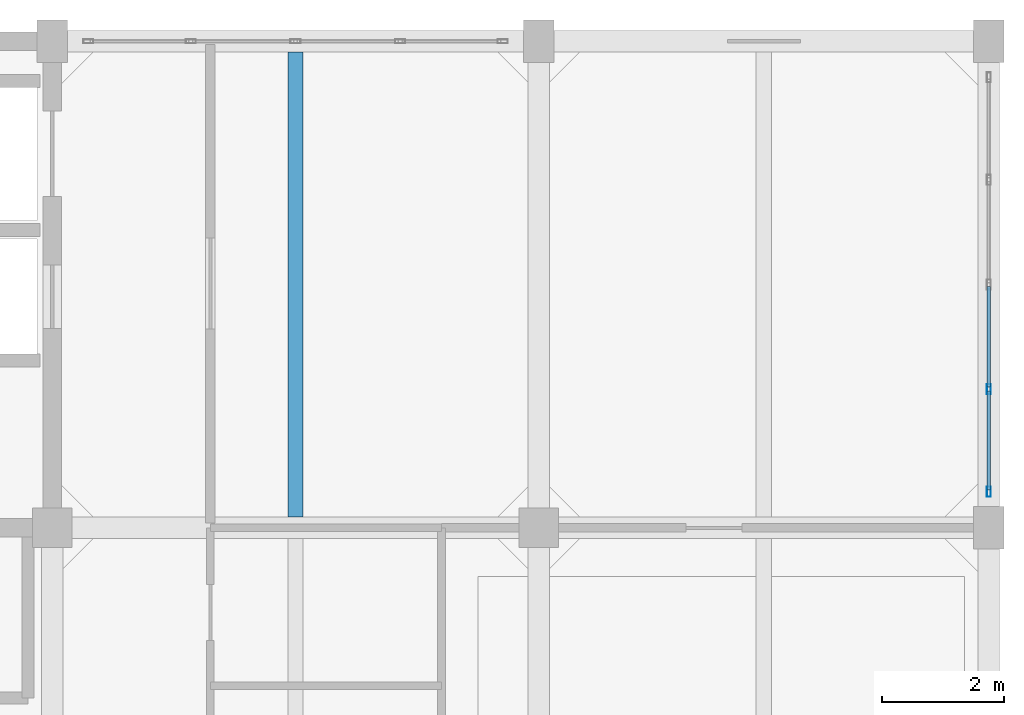
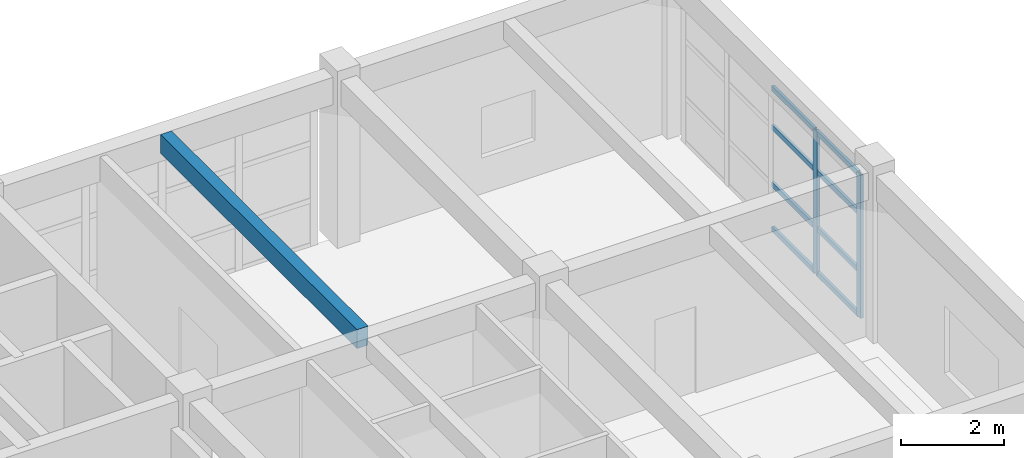
# One storey, part 12 of 20: 10 members, 1 beam, 1 element without a shape of its own.
"""IFC4 building model written with IfcOpenShell, lengths in metres."""

from ifc_helpers import new_model, si_unit, direction, frame, origin, origin_2d, place, context, subcontext, project, spatial, rectangle, hollow_rectangle, extrude, material, layer, layer_set, material_profile, profile_set, type_object, element, aggregate, save


model = new_model("IFC4")

# Units and contexts
model_context = context("Model", 3, precision=1e-05, world=origin(), true_north=direction((0.0, 1.0)))
body_context = subcontext(model_context, "Body", "Model", "MODEL_VIEW")
ifc_project = project(units=[si_unit("LENGTHUNIT", "METRE"), si_unit("AREAUNIT", "SQUARE_METRE"), si_unit("VOLUMEUNIT", "CUBIC_METRE"), si_unit("PLANEANGLEUNIT", "RADIAN"), si_unit("MASSUNIT", "GRAM", prefix="KILO")], contexts=[model_context])

# Site, building, storey
site_placement = place(None, origin())
site = spatial("IfcSite", under=ifc_project, at=site_placement, CompositionType="ELEMENT")
building_placement = place(site_placement, origin())
building = spatial("IfcBuilding", under=site, at=building_placement, Name="Canggui Botanical Conservatory", CompositionType="ELEMENT")
storey_placement = place(building_placement, frame((0.0, 0.0, 57.0)))
storey = spatial("IfcBuildingStorey", under=building, at=storey_placement, Name="L14", CompositionType="ELEMENT", Elevation=57.0)

# Beam
ifc_material_1 = material(Name="Concrete C35", Category="concrete")
ifc_material_profile_1 = material_profile(ifc_material_1, rectangle(XDim=0.25, YDim=0.449951171875, at=origin_2d()), Name="RB 250x450")
ifc_profile_set_1 = profile_set([ifc_material_profile_1], Name="Concrete C35")
beam_type = type_object("IfcBeamType", Name="BM-JST05", PredefinedType="JOIST", material=ifc_profile_set_1)
beam_placement = place(storey_placement, frame((166.0, 58.179931640625, 3.735107421875), z_axis=(0.0, 1.0, 0.0), x_axis=(-1.0, 0.0, 0.0)))
element("IfcBeam", 1, at=beam_placement, inside=storey, type_object=beam_type, Name="Secondary Floor Joist L14-3-3", PredefinedType="JOIST", context=body_context, shape_type="SweptSolid", body=[
    extrude(rectangle(XDim=0.25, YDim=0.449951171875, at=origin_2d()), origin(), (0.0, 0.0, 1.0), 7.64013671875),
])

# Curtain wall, members
ifc_material_2 = material(Name="Thermally Broken Aluminium", Category="aluminium")
ifc_layer = layer(ifc_material_2, 0.1650390625, Name="Thermally Broken Aluminium", Category="aluminium")
ifc_layer_set = layer_set([ifc_layer], Name="Thermally Broken Aluminium")
curtain_wall_type = type_object("IfcCurtainWallType", Name="CW-UNIT-B", PredefinedType="USERDEFINED", material=ifc_layer_set)
curtain_wall_placement = place(storey_placement, origin())
curtain_wall = element("IfcCurtainWall", 2, at=curtain_wall_placement, inside=storey, type_object=curtain_wall_type, Name="Facade Curtain Wall CW-TWR-L14-10", ObjectType="UNITISED CURTAIN WALL", PredefinedType="USERDEFINED")
ifc_material_profile_2 = material_profile(ifc_material_2, hollow_rectangle(XDim=0.06494140625, YDim=0.1650390625, WallThickness=0.00390625, at=origin_2d()), Name="CWM 65x165x4")
ifc_profile_set_2 = profile_set([ifc_material_profile_2], Name="Thermally Broken Aluminium")
member_type_1 = type_object("IfcMemberType", Name="CWM-02", PredefinedType="MULLION", material=ifc_profile_set_2)
member_1_placement = place(storey_placement, frame((177.39990234375, 60.280029296875, 0.0), z_axis=(0.0, 0.0, 1.0), x_axis=(1.0, 0.0, 0.0)))
member_1 = element("IfcMember", 3, at=member_1_placement, type_object=member_type_1, Name="CW-02 mullion 4", PredefinedType="MULLION", context=body_context, shape_type="SweptSolid", body=[
    extrude(hollow_rectangle(XDim=0.06494140625, YDim=0.1650390625, WallThickness=0.00390625, at=origin_2d()), origin(), (0.0, 0.0, 1.0), 3.39990234375),
])
member_2_placement = place(storey_placement, frame((177.39990234375, 58.592529296875, 0.0), z_axis=(0.0, 0.0, 1.0), x_axis=(1.0, 0.0, 0.0)))
member_2 = element("IfcMember", 4, at=member_2_placement, type_object=member_type_1, Name="CW-02 mullion 5", PredefinedType="MULLION", context=body_context, shape_type="SweptSolid", body=[
    extrude(hollow_rectangle(XDim=0.06494140625, YDim=0.1650390625, WallThickness=0.00390625, at=origin_2d()), origin(), (0.0, 0.0, 1.0), 3.39990234375),
])
ifc_material_profile_3 = material_profile(ifc_material_2, hollow_rectangle(XDim=0.06005859375, YDim=0.1201171875, WallThickness=0.00341796875, at=origin_2d()), Name="CWT 60x120x3.5")
ifc_profile_set_3 = profile_set([ifc_material_profile_3], Name="Thermally Broken Aluminium")
member_type_2 = type_object("IfcMemberType", Name="CWT-02", PredefinedType="USERDEFINED", material=ifc_profile_set_3)
member_3_placement = place(storey_placement, frame((177.39990234375, 61.967529296875, 0.030029296875), z_axis=(0.0, -1.0, 0.0), x_axis=(1.0, 0.0, 0.0)))
member_3 = element("IfcMember", 5, at=member_3_placement, type_object=member_type_2, Name="CW-02 transom 3.1", ObjectType="TRANSOM", PredefinedType="USERDEFINED", context=body_context, shape_type="SweptSolid", body=[
    extrude(hollow_rectangle(XDim=0.06005859375, YDim=0.1201171875, WallThickness=0.00341796875, at=origin_2d()), origin(), (0.0, 0.0, 1.0), 1.655029296875),
])
member_4_placement = place(storey_placement, frame((177.39990234375, 61.967529296875, 1.087890625), z_axis=(0.0, -1.0, 0.0), x_axis=(1.0, 0.0, 0.0)))
member_4 = element("IfcMember", 6, at=member_4_placement, type_object=member_type_2, Name="CW-02 transom 3.2", ObjectType="TRANSOM", PredefinedType="USERDEFINED", context=body_context, shape_type="SweptSolid", body=[
    extrude(hollow_rectangle(XDim=0.06005859375, YDim=0.1201171875, WallThickness=0.00341796875, at=origin_2d()), origin(), (0.0, 0.0, 1.0), 1.655029296875),
])
member_5_placement = place(storey_placement, frame((177.39990234375, 61.967529296875, 2.447998046875), z_axis=(0.0, -1.0, 0.0), x_axis=(1.0, 0.0, 0.0)))
member_5 = element("IfcMember", 7, at=member_5_placement, type_object=member_type_2, Name="CW-02 transom 3.3", ObjectType="TRANSOM", PredefinedType="USERDEFINED", context=body_context, shape_type="SweptSolid", body=[
    extrude(hollow_rectangle(XDim=0.06005859375, YDim=0.1201171875, WallThickness=0.00341796875, at=origin_2d()), origin(), (0.0, 0.0, 1.0), 1.655029296875),
])
member_6_placement = place(storey_placement, frame((177.39990234375, 61.967529296875, 3.3701171875), z_axis=(0.0, -1.0, 0.0), x_axis=(1.0, 0.0, 0.0)))
member_6 = element("IfcMember", 8, at=member_6_placement, type_object=member_type_2, Name="CW-02 transom 3.4", ObjectType="TRANSOM", PredefinedType="USERDEFINED", context=body_context, shape_type="SweptSolid", body=[
    extrude(hollow_rectangle(XDim=0.06005859375, YDim=0.1201171875, WallThickness=0.00341796875, at=origin_2d()), origin(), (0.0, 0.0, 1.0), 1.655029296875),
])
member_7_placement = place(storey_placement, frame((177.39990234375, 60.24755859375, 0.030029296875), z_axis=(0.0, -1.0, 0.0), x_axis=(1.0, 0.0, 0.0)))
member_7 = element("IfcMember", 9, at=member_7_placement, type_object=member_type_2, Name="CW-02 transom 4.1", ObjectType="TRANSOM", PredefinedType="USERDEFINED", context=body_context, shape_type="SweptSolid", body=[
    extrude(hollow_rectangle(XDim=0.06005859375, YDim=0.1201171875, WallThickness=0.00341796875, at=origin_2d()), origin(), (0.0, 0.0, 1.0), 1.62255859375),
])
member_8_placement = place(storey_placement, frame((177.39990234375, 60.24755859375, 1.087890625), z_axis=(0.0, -1.0, 0.0), x_axis=(1.0, 0.0, 0.0)))
member_8 = element("IfcMember", 10, at=member_8_placement, type_object=member_type_2, Name="CW-02 transom 4.2", ObjectType="TRANSOM", PredefinedType="USERDEFINED", context=body_context, shape_type="SweptSolid", body=[
    extrude(hollow_rectangle(XDim=0.06005859375, YDim=0.1201171875, WallThickness=0.00341796875, at=origin_2d()), origin(), (0.0, 0.0, 1.0), 1.62255859375),
])
member_9_placement = place(storey_placement, frame((177.39990234375, 60.24755859375, 2.447998046875), z_axis=(0.0, -1.0, 0.0), x_axis=(1.0, 0.0, 0.0)))
member_9 = element("IfcMember", 11, at=member_9_placement, type_object=member_type_2, Name="CW-02 transom 4.3", ObjectType="TRANSOM", PredefinedType="USERDEFINED", context=body_context, shape_type="SweptSolid", body=[
    extrude(hollow_rectangle(XDim=0.06005859375, YDim=0.1201171875, WallThickness=0.00341796875, at=origin_2d()), origin(), (0.0, 0.0, 1.0), 1.62255859375),
])
member_10_placement = place(storey_placement, frame((177.39990234375, 60.24755859375, 3.3701171875), z_axis=(0.0, -1.0, 0.0), x_axis=(1.0, 0.0, 0.0)))
member_10 = element("IfcMember", 12, at=member_10_placement, type_object=member_type_2, Name="CW-02 transom 4.4", ObjectType="TRANSOM", PredefinedType="USERDEFINED", context=body_context, shape_type="SweptSolid", body=[
    extrude(hollow_rectangle(XDim=0.06005859375, YDim=0.1201171875, WallThickness=0.00341796875, at=origin_2d()), origin(), (0.0, 0.0, 1.0), 1.62255859375),
])
aggregate(curtain_wall, [member_1, member_2, member_3, member_4, member_5, member_6, member_7, member_8, member_9, member_10])

save(model, "model.ifc")
